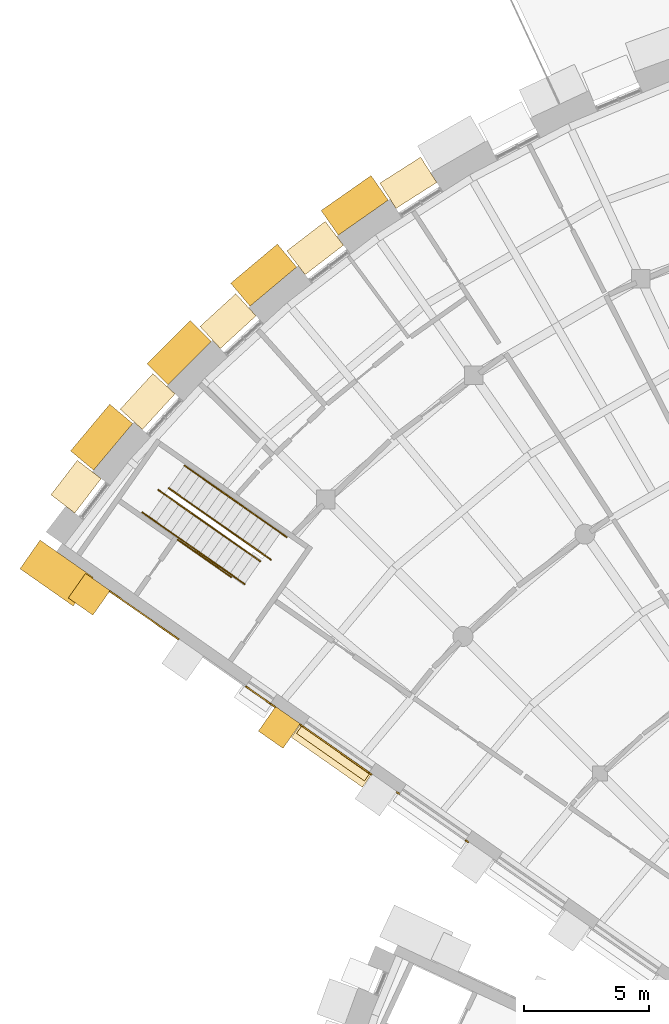
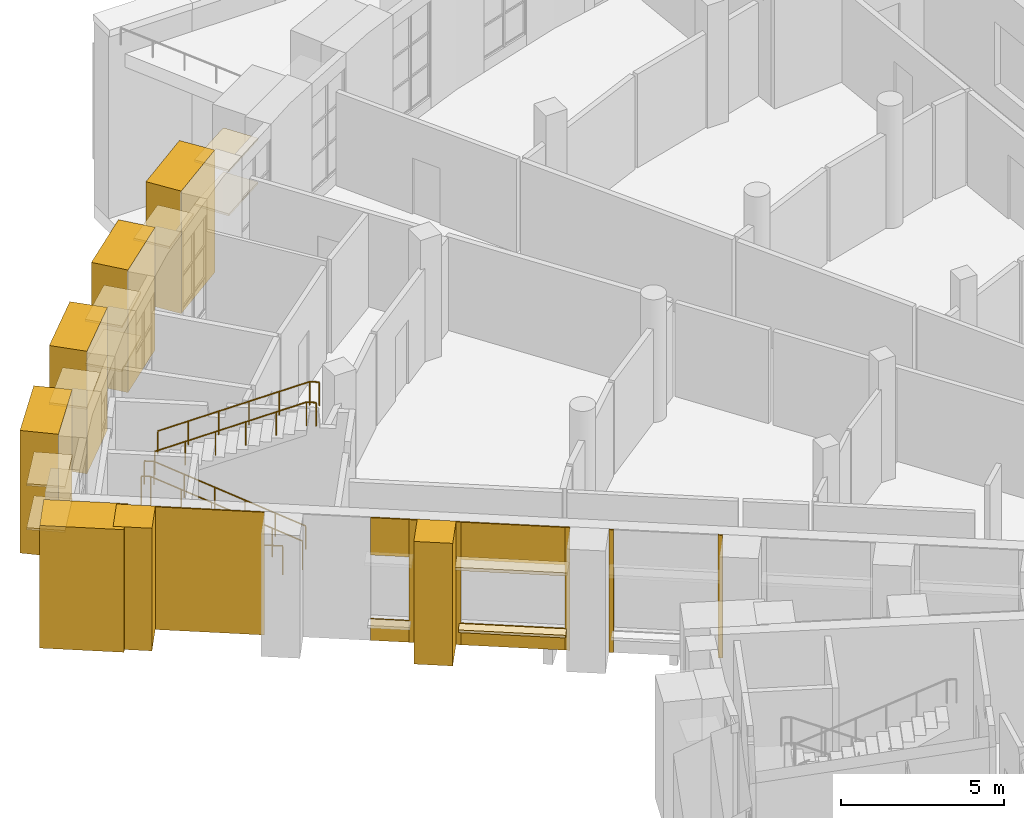
# One storey, part 76 of 85: 27 coverings, 5 railings.
"""IFC4 building model written with IfcOpenShell, lengths in metres."""

from ifc_helpers import new_model, si_unit, direction, frame, origin, origin_2d, place, context, subcontext, project, spatial, polyline, rectangle, circle, outline, extrude, material, layer, layer_set, type_object, element, save


model = new_model("IFC4")

# Units and contexts
model_context = context("Model", 3, precision=1e-05, world=origin(), true_north=direction((0.0, 1.0)))
body_context = subcontext(model_context, "Body", "Model", "MODEL_VIEW")
ifc_project = project(units=[si_unit("LENGTHUNIT", "METRE"), si_unit("AREAUNIT", "SQUARE_METRE"), si_unit("VOLUMEUNIT", "CUBIC_METRE"), si_unit("PLANEANGLEUNIT", "RADIAN"), si_unit("MASSUNIT", "GRAM", prefix="KILO")], contexts=[model_context])

# Site, building, storey
site_placement = place(None, origin())
site = spatial("IfcSite", under=ifc_project, at=site_placement, CompositionType="ELEMENT")
building_placement = place(site_placement, origin())
building = spatial("IfcBuilding", under=site, at=building_placement, Name="Volute Hill Aquarium", CompositionType="ELEMENT")
storey_placement = place(building_placement, origin())
storey = spatial("IfcBuildingStorey", under=building, at=storey_placement, Name="L01", CompositionType="ELEMENT", Elevation=0.0)

# Coverings
ifc_material_1 = material(Name="Precast concrete C40/50", Category="concrete")
covering_type_1 = type_object("IfcCoveringType", Name="End wall precast fin C40/50 1200x1200", PredefinedType="CLADDING", material=ifc_material_1)
for number, where, z_axis, x_axis, name in (
    (1, (-33.14990234375, 22.174072265625, 0.0), (0.0, 0.0, 1.0), (-0.819151442029, 0.573577296467, 0.0), "End wall fin EWF S6B L01 5"),
    (2, (-40.748779296875, 27.494873046875, 0.0), (0.0, 0.0, 1.0), (-0.819151442029, 0.573577296467, 0.0), "End wall fin EWF S6B L01 7"),
):
    element("IfcCovering", number, at=place(storey_placement, frame(where, z_axis=z_axis, x_axis=x_axis)), inside=storey, type_object=covering_type_1, Name=name, PredefinedType="CLADDING", context=body_context, shape_type="SweptSolid", body=[
        extrude(rectangle(XDim=1.199951171875, YDim=1.199951171875, at=origin_2d()), origin(), (0.0, 0.0, 1.0), 4.60009765625),
    ])
ifc_material_2 = material(Name="Precast concrete C40/50", Category="concrete")
ifc_layer_1 = layer(ifc_material_2, 0.050048828125)
ifc_layer_set_1 = layer_set([ifc_layer_1], Name="End wall precast infill panel C40/50 50")
covering_type_2 = type_object("IfcCoveringType", Name="End wall precast infill panel C40/50 50", PredefinedType="CLADDING", material=ifc_layer_set_1)
covering_1_placement = place(storey_placement, frame((-25.5751953125, 17.602783203125, 0.0), z_axis=(0.574444878118, 0.818543268254, 0.0), x_axis=(-0.818543268254, 0.574444878118, 0.0)))
element("IfcCovering", 3, at=covering_1_placement, inside=storey, type_object=covering_type_2, Name="End wall panel EWP S6B L01 3", PredefinedType="CLADDING", context=body_context, shape_type="SweptSolid", body=[
    extrude(outline(polyline([(0.0, 0.0), (0.150025953590682, 0.0), (0.150025953590682, 4.600097656250001), (0.0, 4.600097656250001), (0.0, 0.0)])), origin(), (0.0, 0.0, -1.0), 0.050048828125),
])
covering_2_placement = place(storey_placement, frame((-28.330322265625, 19.531982421875, 0.0), z_axis=(0.573353020881, 0.819308436089, 0.0), x_axis=(-0.819308436089, 0.573353020881, 0.0)))
element("IfcCovering", 4, at=covering_2_placement, inside=storey, type_object=covering_type_2, Name="End wall panel EWP S6B L01 3", PredefinedType="CLADDING", context=body_context, shape_type="SweptSolid", body=[
    extrude(outline(polyline([(0.0, 0.0), (0.1498858414801972, 0.0), (0.1498858414801972, 4.600097656249999), (0.0, 4.600097656249999), (0.0, 0.0)])), origin(), (0.0, 0.0, -1.0), 0.050048828125),
])
covering_3_placement = place(storey_placement, frame((-29.43603515625, 20.306396484375, 0.0), z_axis=(0.572588637393, 0.819842821722, 0.0), x_axis=(-0.819842821722, 0.572588637393, 0.0)))
element("IfcCovering", 5, at=covering_3_placement, inside=storey, type_object=covering_type_2, Name="End wall panel EWP S6B L01 4", PredefinedType="CLADDING", context=body_context, shape_type="SweptSolid", body=[
    extrude(outline(polyline([(0.0, 0.0), (0.15008593322998537, 0.0), (0.15008593322998537, 4.60009765625), (0.0, 4.60009765625), (0.0, 0.0)])), origin(), (0.0, 0.0, -1.0), 0.050048828125),
])
covering_4_placement = place(storey_placement, frame((-29.55908203125, 20.392333984375, 0.0), z_axis=(0.573579624401, 0.819149811983, 0.0), x_axis=(-0.819149811983, 0.573579624401, 0.0)))
element("IfcCovering", 6, at=covering_4_placement, inside=storey, type_object=covering_type_2, Name="End wall panel EWP S6B L01 4", PredefinedType="CLADDING", context=body_context, shape_type="SweptSolid", body=[
    extrude(outline(polyline([(0.0, 0.0), (3.213185231346031, 0.0), (3.213185231346031, 0.800048828125), (0.0, 0.800048828125), (0.0, 0.0)])), origin(), (0.0, 0.0, -1.0), 0.050048828125),
])
covering_5_placement = place(storey_placement, frame((-29.55908203125, 20.392333984375, 3.199951171875), z_axis=(0.573579624401, 0.819149811983, 0.0), x_axis=(-0.819149811983, 0.573579624401, 0.0)))
element("IfcCovering", 7, at=covering_5_placement, inside=storey, type_object=covering_type_2, Name="End wall panel EWP S6B L01 4", PredefinedType="CLADDING", context=body_context, shape_type="SweptSolid", body=[
    extrude(outline(polyline([(0.0, 0.0), (3.213185231346031, 0.0), (3.213185231346031, 1.400146484375), (0.0, 1.400146484375), (0.0, 0.0)])), origin(), (0.0, 0.0, -1.0), 0.050048828125),
])
covering_6_placement = place(storey_placement, frame((-32.191162109375, 22.2353515625, 0.0), z_axis=(0.57368046593, 0.819079192149, 0.0), x_axis=(-0.819079192149, 0.57368046593, 0.0)))
element("IfcCovering", 8, at=covering_6_placement, inside=storey, type_object=covering_type_2, Name="End wall panel EWP S6B L01 4", PredefinedType="CLADDING", context=body_context, shape_type="SweptSolid", body=[
    extrude(outline(polyline([(0.0, 0.0), (0.15022585871973665, 0.0), (0.15022585871973665, 4.60009765625), (0.0, 4.60009765625), (0.0, 0.0)])), origin(), (0.0, 0.0, -1.0), 0.050048828125),
])
covering_7_placement = place(storey_placement, frame((-33.297119140625, 23.009765625, 0.0), z_axis=(0.573327561262, 0.819326252171, 0.0), x_axis=(-0.819326252171, 0.573327561262, 0.0)))
element("IfcCovering", 9, at=covering_7_placement, inside=storey, type_object=covering_type_2, Name="End wall panel EWP S6B L01 5", PredefinedType="CLADDING", context=body_context, shape_type="SweptSolid", body=[
    extrude(outline(polyline([(0.0, 0.0), (0.24314947735657513, 0.0), (0.24314947735657513, 4.60009765625), (0.0, 4.60009765625), (0.0, 0.0)])), origin(), (0.0, 0.0, -1.0), 0.050048828125),
])
covering_8_placement = place(storey_placement, frame((-33.496337890625, 23.149169921875, 0.0), z_axis=(0.573708088123, 0.819059844958, 0.0), x_axis=(-0.819059844958, 0.573708088123, 0.0)))
element("IfcCovering", 10, at=covering_8_placement, inside=storey, type_object=covering_type_2, Name="End wall panel EWP S6B L01 5", PredefinedType="CLADDING", context=body_context, shape_type="SweptSolid", body=[
    extrude(outline(polyline([(0.0, 0.0), (1.2000468125749162, 0.0), (1.2000468125749162, 0.800048828125), (0.0, 0.800048828125), (0.0, 0.0)])), origin(), (0.0, 0.0, -1.0), 0.050048828125),
])
covering_9_placement = place(storey_placement, frame((-33.496337890625, 23.149169921875, 3.199951171875), z_axis=(0.573708088123, 0.819059844958, 0.0), x_axis=(-0.819059844958, 0.573708088123, 0.0)))
element("IfcCovering", 11, at=covering_9_placement, inside=storey, type_object=covering_type_2, Name="End wall panel EWP S6B L01 5", PredefinedType="CLADDING", context=body_context, shape_type="SweptSolid", body=[
    extrude(outline(polyline([(0.0, 0.0), (1.2000468125749162, 0.0), (1.2000468125749162, 1.400146484375), (0.0, 1.400146484375), (0.0, 0.0)])), origin(), (0.0, 0.0, -1.0), 0.050048828125),
])
covering_10_placement = place(storey_placement, frame((-37.157958984375, 25.713134765625, 0.0), z_axis=(0.573584128646, 0.819146658032, 0.0), x_axis=(-0.819146658032, 0.573584128646, 0.0)))
element("IfcCovering", 12, at=covering_10_placement, inside=storey, type_object=covering_type_2, Name="End wall panel EWP S6B L01 6", PredefinedType="CLADDING", context=body_context, shape_type="SweptSolid", body=[
    extrude(outline(polyline([(0.0, 0.0), (3.3634110889781903, 0.0), (3.3634110889781903, 4.60009765625), (0.0, 4.60009765625), (0.0, 0.0)])), origin(), (0.0, 0.0, -1.0), 0.050048828125),
])
ifc_material_3 = material(Name="Precast concrete C40/50", Category="concrete")
ifc_layer_2 = layer(ifc_material_3, 0.1201171875)
ifc_layer_set_2 = layer_set([ifc_layer_2], Name="End wall window head blade precast C40/50 600x120")
covering_type_3 = type_object("IfcCoveringType", Name="End wall window head blade precast C40/50 600x120", PredefinedType="CLADDING", material=ifc_layer_set_2)
covering_11_placement = place(storey_placement, frame((-31.075927734375, 21.027099609375, 3.199951171875), z_axis=(0.0, 0.0, 1.0), x_axis=(-0.819151442029, 0.573577296467, 0.0)))
element("IfcCovering", 13, at=covering_11_placement, inside=storey, type_object=covering_type_3, Name="End wall window head blade EWB S6B L01 4.1", PredefinedType="CLADDING", context=body_context, shape_type="SweptSolid", body=[
    extrude(rectangle(XDim=3.473388671875, YDim=0.60009765625, at=origin_2d()), origin(), (0.0, 0.0, 1.0), 0.1201171875),
])
ifc_material_4 = material(Name="Precast concrete C40/50", Category="concrete")
ifc_layer_3 = layer(ifc_material_4, 0.10009765625)
ifc_layer_set_3 = layer_set([ifc_layer_3], Name="End wall window sill precast C40/50 350x100")
covering_type_4 = type_object("IfcCoveringType", Name="End wall window sill precast C40/50 350x100", PredefinedType="CLADDING", material=ifc_layer_set_3)
covering_12_placement = place(storey_placement, frame((-31.004150390625, 21.129638671875, 0.699951171875), z_axis=(0.0, 0.0, 1.0), x_axis=(-0.819151442029, 0.573577296467, 0.0)))
element("IfcCovering", 14, at=covering_12_placement, inside=storey, type_object=covering_type_4, Name="End wall window sill EWS S6B L01 4.1", PredefinedType="CLADDING", context=body_context, shape_type="SweptSolid", body=[
    extrude(rectangle(XDim=3.313232421875, YDim=0.35009765625, at=origin_2d()), origin(), (0.0, 0.0, 1.0), 0.10009765625),
])

# Railings
ifc_material_5 = material(Name="Stainless steel 1.4301", Category="steel")
railing_type_1 = type_object("IfcRailingType", Name="Guard 1100 stainless", PredefinedType="GUARDRAIL", material=ifc_material_5)
railing_1_placement = place(storey_placement, frame((-37.206298828125, 29.677734375, 0.0)))
element("IfcRailing", 15, at=railing_1_placement, inside=storey, type_object=railing_type_1, Name="gd/S6-B/L01/edge", PredefinedType="GUARDRAIL", context=body_context, shape_type="SweptSolid", body=[
    extrude(circle(Radius=0.02392578125, at=origin_2d()), frame((0.0, 0.0, 1.076171875), z_axis=(0.819178980414, -0.573537965655, 0.0), x_axis=(0.573537965655, 0.819178980414, 0.0)), (0.0, 0.0, 1.0), 2.60009765625),
    extrude(circle(Radius=0.02099609375, at=origin_2d()), origin(), (0.0, 0.0, 1.0), 1.052001953125),
    extrude(circle(Radius=0.02099609375, at=origin_2d()), frame((0.7099609375, -0.4970703125, 0.0)), (0.0, 0.0, 1.0), 1.052001953125),
    extrude(circle(Radius=0.02099609375, at=origin_2d()), frame((1.419921875, -0.994140625, 0.0)), (0.0, 0.0, 1.0), 1.052001953125),
    extrude(circle(Radius=0.02099609375, at=origin_2d()), frame((2.1298828125, -1.4912109375, 0.0)), (0.0, 0.0, 1.0), 1.052001953125),
])
railing_2_placement = place(storey_placement, frame((-34.5390625, 27.90771484375, 0.164306640625)))
element("IfcRailing", 16, at=railing_2_placement, inside=storey, type_object=railing_type_1, Name="gd/S6-B/L01/1", PredefinedType="GUARDRAIL", context=body_context, shape_type="SweptSolid", body=[
    extrude(circle(Radius=0.02392578125, at=origin_2d()), frame((0.0, 0.0, 1.076171875), z_axis=(-0.745211487204, 0.521833121906, 0.415150613899), x_axis=(-0.573598873883, -0.819136332902, 0.0)), (0.0, 0.0, 1.0), 5.14453125),
    extrude(circle(Radius=0.02392578125, at=origin_2d()), frame((-3.833740234375, 2.6845703125, 3.2119140625), z_axis=(-0.818925855405, 0.573899332068, 0.0), x_axis=(-0.573899332068, -0.818925855405, 0.0)), (0.0, 0.0, 1.0), 0.2998046875),
    extrude(circle(Radius=0.02099609375, at=origin_2d()), origin(), (0.0, 0.0, 1.0), 1.052001953125),
    extrude(circle(Radius=0.02099609375, at=origin_2d()), frame((-0.766845703125, 0.536865234375, 0.42724609375)), (0.0, 0.0, 1.0), 1.052001953125),
    extrude(circle(Radius=0.02099609375, at=origin_2d()), frame((-1.533447265625, 1.07373046875, 0.854248046875)), (0.0, 0.0, 1.0), 1.052001953125),
    extrude(circle(Radius=0.02099609375, at=origin_2d()), frame((-2.30029296875, 1.61083984375, 1.281494140625)), (0.0, 0.0, 1.0), 1.052001953125),
    extrude(circle(Radius=0.02099609375, at=origin_2d()), frame((-3.06689453125, 2.147705078125, 1.70849609375)), (0.0, 0.0, 1.0), 1.052001953125),
    extrude(circle(Radius=0.02099609375, at=origin_2d()), frame((-3.833740234375, 2.6845703125, 2.1357421875)), (0.0, 0.0, 1.0), 1.052001953125),
    extrude(circle(Radius=0.02099609375, at=origin_2d()), frame((-4.079345703125, 2.856689453125, 2.1357421875)), (0.0, 0.0, 1.0), 1.052001953125),
])
ifc_material_6 = material(Name="Stainless steel 1.4301", Category="steel")
railing_type_2 = type_object("IfcRailingType", Name="Handrail 48 stainless", PredefinedType="HANDRAIL", material=ifc_material_6)
railing_3_placement = place(storey_placement, frame((-33.908203125, 28.808837890625, 0.164306640625)))
element("IfcRailing", 17, at=railing_3_placement, inside=storey, type_object=railing_type_2, Name="hr/S6-B/L01/2", PredefinedType="HANDRAIL", context=body_context, shape_type="SweptSolid", body=[
    extrude(circle(Radius=0.02392578125, at=origin_2d()), frame((0.0, 0.0, 0.8759765625), z_axis=(-0.745190384026, 0.521851577044, 0.415165296106), x_axis=(-0.573623384376, -0.819119168923, 0.0)), (0.0, 0.0, 1.0), 5.144287109375),
    extrude(circle(Radius=0.02392578125, at=origin_2d()), frame((-3.83349609375, 2.6845703125, 3.01171875), z_axis=(-0.819575896246, 0.572970636502, 0.0), x_axis=(-0.572970636502, -0.819575896246, 0.0)), (0.0, 0.0, 1.0), 0.300048828125),
    extrude(circle(Radius=0.02099609375, at=origin_2d()), origin(), (0.0, 0.0, 1.0), 0.851806640625),
    extrude(circle(Radius=0.02099609375, at=origin_2d()), frame((-0.7666015625, 0.536865234375, 0.42724609375)), (0.0, 0.0, 1.0), 0.851806640625),
    extrude(circle(Radius=0.02099609375, at=origin_2d()), frame((-1.533447265625, 1.07373046875, 0.854248046875)), (0.0, 0.0, 1.0), 0.851806640625),
    extrude(circle(Radius=0.02099609375, at=origin_2d()), frame((-2.300048828125, 1.61083984375, 1.281494140625)), (0.0, 0.0, 1.0), 0.851806640625),
    extrude(circle(Radius=0.02099609375, at=origin_2d()), frame((-3.06689453125, 2.147705078125, 1.70849609375)), (0.0, 0.0, 1.0), 0.851806640625),
    extrude(circle(Radius=0.02099609375, at=origin_2d()), frame((-3.83349609375, 2.6845703125, 2.1357421875)), (0.0, 0.0, 1.0), 0.851806640625),
    extrude(circle(Radius=0.02099609375, at=origin_2d()), frame((-4.079345703125, 2.8564453125, 2.1357421875)), (0.0, 0.0, 1.0), 0.851806640625),
])
railing_4_placement = place(storey_placement, frame((-37.569580078125, 31.739013671875, 2.46435546875)))
element("IfcRailing", 18, at=railing_4_placement, inside=storey, type_object=railing_type_2, Name="hr/S6-B/L01/3", PredefinedType="HANDRAIL", context=body_context, shape_type="SweptSolid", body=[
    extrude(circle(Radius=0.02392578125, at=origin_2d()), frame((0.0, 0.0, 0.8759765625), z_axis=(0.745208839402, -0.521817041729, 0.415175578085), x_axis=(0.573588381334, 0.819143680192, 0.0)), (0.0, 0.0, 1.0), 5.144287109375),
    extrude(circle(Radius=0.02392578125, at=origin_2d()), frame((3.83349609375, -2.684326171875, 3.01171875), z_axis=(0.819193700616, -0.573516940352, 0.0), x_axis=(0.573516940352, 0.819193700616, 0.0)), (0.0, 0.0, 1.0), 0.300048828125),
    extrude(circle(Radius=0.02099609375, at=origin_2d()), origin(), (0.0, 0.0, 1.0), 0.851806640625),
    extrude(circle(Radius=0.02099609375, at=origin_2d()), frame((0.7666015625, -0.536865234375, 0.42724609375)), (0.0, 0.0, 1.0), 0.851806640625),
    extrude(circle(Radius=0.02099609375, at=origin_2d()), frame((1.533447265625, -1.07373046875, 0.854248046875)), (0.0, 0.0, 1.0), 0.851806640625),
    extrude(circle(Radius=0.02099609375, at=origin_2d()), frame((2.300048828125, -1.610595703125, 1.281494140625)), (0.0, 0.0, 1.0), 0.851806640625),
    extrude(circle(Radius=0.02099609375, at=origin_2d()), frame((3.06689453125, -2.1474609375, 1.70849609375)), (0.0, 0.0, 1.0), 0.851806640625),
    extrude(circle(Radius=0.02099609375, at=origin_2d()), frame((3.83349609375, -2.684326171875, 2.1357421875)), (0.0, 0.0, 1.0), 0.851806640625),
    extrude(circle(Radius=0.02099609375, at=origin_2d()), frame((4.079345703125, -2.8564453125, 2.1357421875)), (0.0, 0.0, 1.0), 0.851806640625),
])
railing_5_placement = place(storey_placement, frame((-36.938720703125, 32.64013671875, 2.46435546875)))
element("IfcRailing", 19, at=railing_5_placement, inside=storey, type_object=railing_type_2, Name="hr/S6-B/L01/4", PredefinedType="HANDRAIL", context=body_context, shape_type="SweptSolid", body=[
    extrude(circle(Radius=0.02392578125, at=origin_2d()), frame((0.0, 0.0, 0.8759765625), z_axis=(0.745229941797, -0.521798586898, 0.415160894787), x_axis=(0.57356387087, 0.81916084259, 0.0)), (0.0, 0.0, 1.0), 5.144287109375),
    extrude(circle(Radius=0.02392578125, at=origin_2d()), frame((3.833740234375, -2.684326171875, 3.01171875), z_axis=(0.818925855405, -0.573899332068, 0.0), x_axis=(0.573899332068, 0.818925855405, 0.0)), (0.0, 0.0, 1.0), 0.2998046875),
    extrude(circle(Radius=0.02099609375, at=origin_2d()), origin(), (0.0, 0.0, 1.0), 0.851806640625),
    extrude(circle(Radius=0.02099609375, at=origin_2d()), frame((0.766845703125, -0.536865234375, 0.42724609375)), (0.0, 0.0, 1.0), 0.851806640625),
    extrude(circle(Radius=0.02099609375, at=origin_2d()), frame((1.533447265625, -1.07373046875, 0.854248046875)), (0.0, 0.0, 1.0), 0.851806640625),
    extrude(circle(Radius=0.02099609375, at=origin_2d()), frame((2.30029296875, -1.610595703125, 1.281494140625)), (0.0, 0.0, 1.0), 0.851806640625),
    extrude(circle(Radius=0.02099609375, at=origin_2d()), frame((3.06689453125, -2.1474609375, 1.70849609375)), (0.0, 0.0, 1.0), 0.851806640625),
    extrude(circle(Radius=0.02099609375, at=origin_2d()), frame((3.833740234375, -2.684326171875, 2.1357421875)), (0.0, 0.0, 1.0), 0.851806640625),
    extrude(circle(Radius=0.02099609375, at=origin_2d()), frame((4.079345703125, -2.8564453125, 2.1357421875)), (0.0, 0.0, 1.0), 0.851806640625),
])

# Coverings
ifc_material_7 = material(Name="Aluminium, anodised", Category="aluminium")
ifc_layer_4 = layer(ifc_material_7, 0.080078125)
ifc_layer_set_4 = layer_set([ifc_layer_4], Name="Horizontal brise-soleil eyebrow 1200x80")
covering_type_5 = type_object("IfcCoveringType", Name="Horizontal brise-soleil eyebrow 1200x80", PredefinedType="CLADDING", material=ifc_layer_set_4)
for number, where, z_axis, x_axis, name in (
    (20, (-27.993896484375, 43.94140625, 3.85986328125), (0.0, 0.0, 1.0), (-0.843395858464, -0.537292681808, 0.0), "Brise-soleil eyebrow BS S6 L01 6.1"),
    (21, (-27.993896484375, 43.94140625, 2.2099609375), (0.0, 0.0, 1.0), (-0.843395858464, -0.537292681808, 0.0), "Brise-soleil eyebrow BS S6 L01 6.2"),
    (22, (-31.717041015625, 41.33447265625, 3.85986328125), (0.0, 0.0, 1.0), (-0.793350035535, -0.608765735827, 0.0), "Brise-soleil eyebrow BS S6 L01 7.1"),
    (23, (-35.198974609375, 38.412841796875, 3.85986328125), (0.0, 0.0, 1.0), (-0.737286116943, -0.675580625657, 0.0), "Brise-soleil eyebrow BS S6 L01 8.1"),
    (24, (-35.198974609375, 38.412841796875, 2.2099609375), (0.0, 0.0, 1.0), (-0.737286116943, -0.675580625657, 0.0), "Brise-soleil eyebrow BS S6 L01 8.2"),
    (25, (-38.412841796875, 35.198974609375, 3.85986328125), (0.0, 0.0, 1.0), (-0.675580625657, -0.737286116943, 0.0), "Brise-soleil eyebrow BS S6 L01 9.1"),
):
    element("IfcCovering", number, at=place(storey_placement, frame(where, z_axis=z_axis, x_axis=x_axis)), inside=storey, type_object=covering_type_5, Name=name, PredefinedType="CLADDING", context=body_context, shape_type="SweptSolid", body=[
        extrude(rectangle(XDim=1.933837890625, YDim=1.199951171875, at=origin_2d()), origin(), (0.0, 0.0, 1.0), 0.080078125),
    ])
for number, where, z_axis, x_axis, name in (
    (26, (-41.2734375, 31.79638671875, 3.85986328125), (0.0, 0.0, 1.0), (-0.608765735827, -0.793350035535, 0.0), "Brise-soleil eyebrow BS S6 L01 10.1"),
    (27, (-41.2734375, 31.79638671875, 2.2099609375), (0.0, 0.0, 1.0), (-0.608765735827, -0.793350035535, 0.0), "Brise-soleil eyebrow BS S6 L01 10.2"),
):
    element("IfcCovering", number, at=place(storey_placement, frame(where, z_axis=z_axis, x_axis=x_axis)), inside=storey, type_object=covering_type_5, Name=name, PredefinedType="CLADDING", context=body_context, shape_type="SweptSolid", body=[
        extrude(rectangle(XDim=1.733642578125, YDim=1.199951171875, at=origin_2d()), origin(), (0.0, 0.0, 1.0), 0.080078125),
    ])
ifc_material_8 = material(Name="Precast concrete C40/50", Category="concrete")
covering_type_6 = type_object("IfcCoveringType", Name="Projecting pier precast concrete C40/50 2435x1200", PredefinedType="CLADDING", material=ifc_material_8)
for number, where, z_axis, x_axis, name in (
    (28, (-30.1376953125, 43.041259765625, 0.0), (0.0, 0.0, 1.0), (-0.819152044289, -0.573576436351, 0.0), "Projecting pier PP S6 L01 6"),
    (29, (-33.7744140625, 40.250732421875, 0.0), (0.0, 0.0, 1.0), (-0.766044443119, -0.642787609687, 0.0), "Projecting pier PP S6 L01 7"),
    (30, (-37.154052734375, 37.154052734375, 0.0), (0.0, 0.0, 1.0), (-0.707106781187, -0.707106781187, 0.0), "Projecting pier PP S6 L01 8"),
    (31, (-40.250732421875, 33.7744140625, 0.0), (0.0, 0.0, 1.0), (-0.642787609687, -0.766044443119, 0.0), "Projecting pier PP S6 L01 9"),
):
    element("IfcCovering", number, at=place(storey_placement, frame(where, z_axis=z_axis, x_axis=x_axis)), inside=storey, type_object=covering_type_6, Name=name, PredefinedType="CLADDING", context=body_context, shape_type="SweptSolid", body=[
        extrude(rectangle(XDim=2.435302734375, YDim=1.199951171875, at=origin_2d()), origin(), (0.0, 0.0, 1.0), 4.60009765625),
    ])
ifc_material_9 = material(Name="Precast concrete C40/50", Category="concrete")
covering_type_7 = type_object("IfcCoveringType", Name="Step pylon precast concrete C40/50 1400x2600", PredefinedType="CLADDING", material=ifc_material_9)
covering_13_placement = place(storey_placement, frame((-42.047119140625, 28.343017578125, 0.0), z_axis=(0.0, 0.0, 1.0), x_axis=(-0.819152044289, 0.573576436351, 0.0)))
element("IfcCovering", 32, at=covering_13_placement, inside=storey, type_object=covering_type_7, Name="Step pylon SPY S6B L01", PredefinedType="CLADDING", context=body_context, shape_type="SweptSolid", body=[
    extrude(rectangle(XDim=2.60009765625, YDim=1.39990234375, at=origin_2d()), origin(), (0.0, 0.0, 1.0), 4.60009765625),
])

save(model, "model.ifc")
